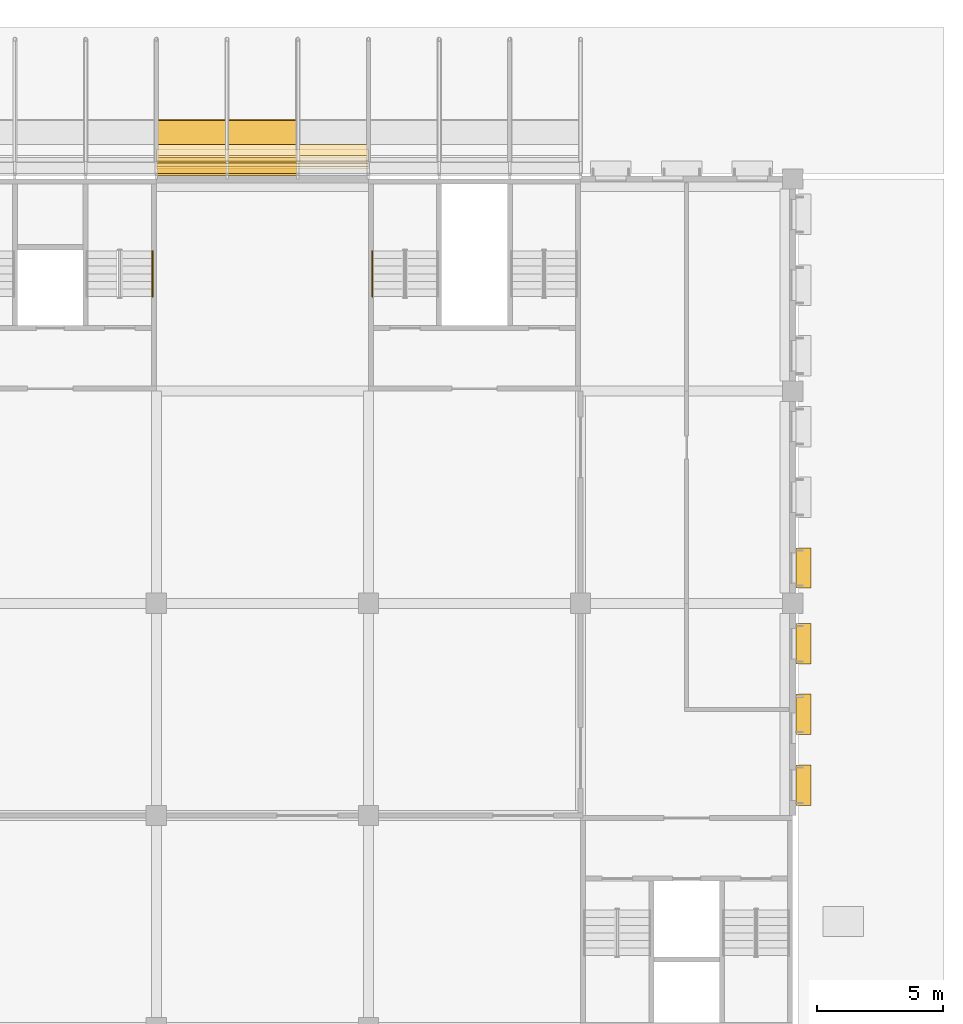
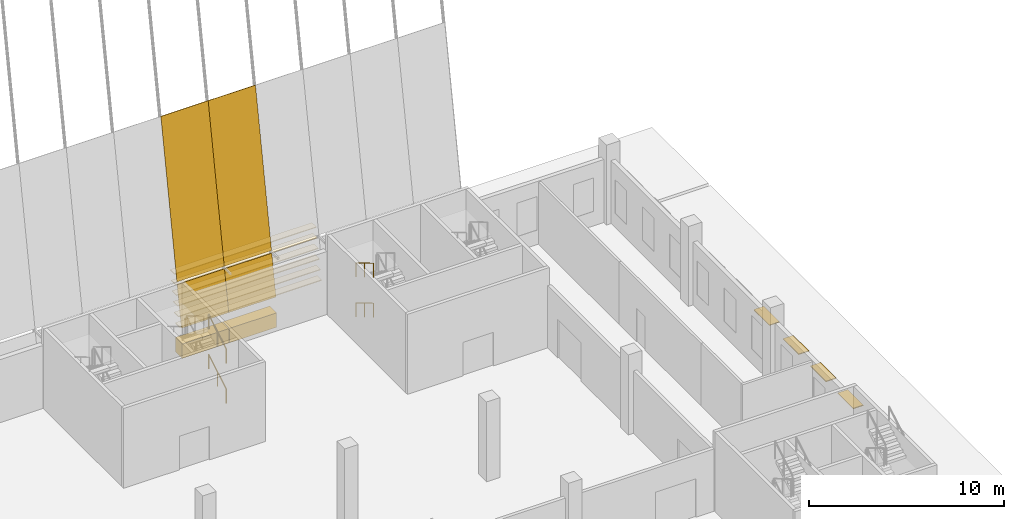
# One storey, part 99 of 101: 12 coverings, 4 railings, 4 shading devices.
"""IFC4 building model written with IfcOpenShell, lengths in metres."""

from ifc_helpers import new_model, si_unit, direction, frame, origin, origin_2d, place, context, subcontext, project, spatial, polyline, rectangle, circle, outline, extrude, material, layer, layer_set, material_profile, profile_set, type_object, element, save


model = new_model("IFC4")

# Units and contexts
model_context = context("Model", 3, precision=1e-05, world=origin(), true_north=direction((0.0, 1.0)))
body_context = subcontext(model_context, "Body", "Model", "MODEL_VIEW")
ifc_project = project(units=[si_unit("LENGTHUNIT", "METRE"), si_unit("AREAUNIT", "SQUARE_METRE"), si_unit("VOLUMEUNIT", "CUBIC_METRE"), si_unit("PLANEANGLEUNIT", "RADIAN"), si_unit("MASSUNIT", "GRAM", prefix="KILO")], contexts=[model_context])

# Site, building, storey
site_placement = place(None, origin())
site = spatial("IfcSite", under=ifc_project, at=site_placement, CompositionType="ELEMENT")
building_placement = place(site_placement, origin())
building = spatial("IfcBuilding", under=site, at=building_placement, Name="Almond Square Museum", CompositionType="ELEMENT")
storey_placement = place(building_placement, frame((0.0, 0.0, 5.5)))
storey = spatial("IfcBuildingStorey", under=building, at=storey_placement, Name="L01", CompositionType="ELEMENT", Elevation=5.5)

# Coverings
ifc_material_1 = material(Name="Cedar timber louvre board", Category="wood")
ifc_material_profile_1 = material_profile(ifc_material_1, rectangle(XDim=0.449951171875, YDim=0.050048828125, at=origin_2d()))
ifc_profile_set_1 = profile_set([ifc_material_profile_1], Name="Cedar timber louvre board")
covering_type_1 = type_object("IfcCoveringType", Name="Louvre board 450 x 50", PredefinedType="CLADDING", material=ifc_profile_set_1)
for number, where, z_axis, x_axis, name in (
    (1, (132.0, 109.82373046875, 1.800048828125), (1.0, 0.0, 0.0), (0.0, 1.0, 0.0), "Louvre board N01.04"),
    (2, (132.0, 109.9296875, 2.39990234375), (1.0, 0.0, 0.0), (0.0, 1.0, 0.0), "Louvre board N02.04"),
    (3, (132.0, 110.035400390625, 3.0), (1.0, 0.0, 0.0), (0.0, 1.0, 0.0), "Louvre board N03.04"),
    (4, (132.0, 110.14111328125, 3.60009765625), (1.0, 0.0, 0.0), (0.0, 1.0, 0.0), "Louvre board N04.04"),
    (5, (132.0, 110.2470703125, 4.199951171875), (1.0, 0.0, 0.0), (0.0, 1.0, 0.0), "Louvre board N05.04"),
    (6, (132.0, 110.352783203125, 4.800048828125), (1.0, 0.0, 0.0), (0.0, 1.0, 0.0), "Louvre board N06.04"),
):
    element("IfcCovering", number, at=place(storey_placement, frame(where, z_axis=z_axis, x_axis=x_axis)), inside=storey, type_object=covering_type_1, Name=name, PredefinedType="CLADDING", context=body_context, shape_type="SweptSolid", body=[
        extrude(rectangle(XDim=0.449951171875, YDim=0.050048828125, at=origin_2d()), origin(), (0.0, 0.0, 1.0), 8.39990234375),
    ])
ifc_material_2 = material(Name="Cedar timber sheathing panel", Category="wood")
ifc_layer_1 = layer(ifc_material_2, 0.030029296875)
ifc_layer_set_1 = layer_set([ifc_layer_1], Name="Cedar timber sheathing panel")
covering_type_2 = type_object("IfcCoveringType", Name="Louvre rain-screen backing panel 30", PredefinedType="CLADDING", material=ifc_layer_set_1)
covering_1_placement = place(storey_placement, frame((132.0, 109.42724609375, 1.8486328125), z_axis=(0.0, -0.984810858511, 0.173630564586), x_axis=(1.0, 0.0, 0.0)))
element("IfcCovering", 7, at=covering_1_placement, inside=storey, type_object=covering_type_2, Name="Louvre rain-screen backing panel N10.03", PredefinedType="CLADDING", context=body_context, shape_type="SweptSolid", body=[
    extrude(outline(polyline([(0.0, 0.0), (2.800048828125, 0.0), (2.800048828125, 2.519717660558068), (0.0, 2.519717660558068), (0.0, 0.0)])), frame((0.0, 0.0, -0.01513671875)), (0.0, 0.0, 1.0), 0.030029296875),
])
covering_2_placement = place(storey_placement, frame((132.0, 109.889404296875, 4.469970703125), z_axis=(0.0, -0.98480863204, 0.173643192378), x_axis=(1.0, 0.0, 0.0)))
element("IfcCovering", 8, at=covering_2_placement, inside=storey, type_object=covering_type_2, Name="Louvre rain-screen backing panel N10.04", PredefinedType="CLADDING", context=body_context, shape_type="SweptSolid", body=[
    extrude(outline(polyline([(0.0, 0.0), (2.800048828125, 0.0), (2.800048828125, 9.504493682681225), (0.0, 9.504493682681225), (0.0, 0.0)])), frame((0.0, 0.0, -0.01513671875)), (0.0, 0.0, 1.0), 0.030029296875),
])
covering_3_placement = place(storey_placement, frame((134.800048828125, 109.42724609375, 1.8486328125), z_axis=(0.0, -0.984810858511, 0.173630564586), x_axis=(1.0, 0.0, 0.0)))
element("IfcCovering", 9, at=covering_3_placement, inside=storey, type_object=covering_type_2, Name="Louvre rain-screen backing panel N11.03", PredefinedType="CLADDING", context=body_context, shape_type="SweptSolid", body=[
    extrude(outline(polyline([(0.0, 0.0), (2.800048828125, 0.0), (2.800048828125, 2.519717660558068), (0.0, 2.519717660558068), (0.0, 0.0)])), frame((0.0, 0.0, -0.01513671875)), (0.0, 0.0, 1.0), 0.030029296875),
])
covering_4_placement = place(storey_placement, frame((134.800048828125, 109.889404296875, 4.469970703125), z_axis=(0.0, -0.98480863204, 0.173643192378), x_axis=(1.0, 0.0, 0.0)))
element("IfcCovering", 10, at=covering_4_placement, inside=storey, type_object=covering_type_2, Name="Louvre rain-screen backing panel N11.04", PredefinedType="CLADDING", context=body_context, shape_type="SweptSolid", body=[
    extrude(outline(polyline([(0.0, 0.0), (2.800048828125, 0.0), (2.800048828125, 9.504493682681225), (0.0, 9.504493682681225), (0.0, 0.0)])), frame((0.0, 0.0, -0.01513671875)), (0.0, 0.0, 1.0), 0.030029296875),
])
ifc_material_3 = material(Name="Timber plinth, cedar", Category="wood")
ifc_layer_2 = layer(ifc_material_3, 0.699951171875)
ifc_layer_set_2 = layer_set([ifc_layer_2], Name="Timber plinth, cedar")
covering_type_3 = type_object("IfcCoveringType", Name="Louvre skin plinth, timber 700 x 900", PredefinedType="CLADDING", material=ifc_layer_set_2)
for number, where, z_axis, x_axis, name in (
    (11, (133.39990234375, 109.699951171875, 0.0), (0.0, 0.0, 1.0), (1.0, 0.0, 0.0), "Louvre skin plinth N10"),
    (12, (136.199951171875, 109.699951171875, 0.0), (0.0, 0.0, 1.0), (1.0, 0.0, 0.0), "Louvre skin plinth N11"),
):
    element("IfcCovering", number, at=place(storey_placement, frame(where, z_axis=z_axis, x_axis=x_axis)), inside=storey, type_object=covering_type_3, Name=name, PredefinedType="CLADDING", context=body_context, shape_type="SweptSolid", body=[
        extrude(rectangle(XDim=2.780029296875, YDim=0.699951171875, at=origin_2d()), origin(), (0.0, 0.0, 1.0), 0.89990234375),
    ])

# Railings
ifc_material_4 = material(Name="Stainless steel", Category="steel")
railing_type = type_object("IfcRailingType", Name="Stair handrail 900 steel", PredefinedType="HANDRAIL", material=ifc_material_4)
for number, where, name in (
    (13, (140.554931640625, 106.35009765625, 1.428466796875), "L01 ST-05 stair handrail 2"),
    (14, (140.554931640625, 106.35009765625, 3.928466796875), "L01 ST-05 stair handrail 4"),
):
    element("IfcRailing", number, at=place(storey_placement, frame(where)), inside=storey, type_object=railing_type, Name=name, PredefinedType="HANDRAIL", context=body_context, shape_type="SweptSolid", body=[
        extrude(circle(Radius=0.02392578125, at=origin_2d()), frame((0.0, 0.0, 0.8759765625), z_axis=(0.0, -0.859277029364, 0.511510495305), x_axis=(1.0, 0.0, 0.0)), (0.0, 0.0, 1.0), 2.0947265625),
        extrude(circle(Radius=0.02099609375, at=origin_2d()), origin(), (0.0, 0.0, 1.0), 0.851806640625),
        extrude(circle(Radius=0.02099609375, at=origin_2d()), frame((0.0, -0.89990234375, 0.53564453125)), (0.0, 0.0, 1.0), 0.851806640625),
        extrude(circle(Radius=0.02099609375, at=origin_2d()), frame((0.0, -1.800048828125, 1.071533203125)), (0.0, 0.0, 1.0), 0.851806640625),
    ])
for number, where, name in (
    (15, (131.844970703125, 104.550048828125, 0.178466796875), "L01 ST-08 stair handrail 1"),
    (16, (131.844970703125, 104.550048828125, 2.678466796875), "L01 ST-08 stair handrail 3"),
):
    element("IfcRailing", number, at=place(storey_placement, frame(where)), inside=storey, type_object=railing_type, Name=name, PredefinedType="HANDRAIL", context=body_context, shape_type="SweptSolid", body=[
        extrude(circle(Radius=0.02392578125, at=origin_2d()), frame((0.0, 0.0, 0.8759765625), z_axis=(0.0, 0.859277029364, 0.511510495305), x_axis=(-1.0, 0.0, 0.0)), (0.0, 0.0, 1.0), 2.0947265625),
        extrude(circle(Radius=0.02099609375, at=origin_2d()), origin(), (0.0, 0.0, 1.0), 0.851806640625),
        extrude(circle(Radius=0.02099609375, at=origin_2d()), frame((0.0, 0.89990234375, 0.53564453125)), (0.0, 0.0, 1.0), 0.851806640625),
        extrude(circle(Radius=0.02099609375, at=origin_2d()), frame((0.0, 1.800048828125, 1.071533203125)), (0.0, 0.0, 1.0), 0.851806640625),
    ])

# Shading devices
ifc_material_5 = material(Name="Anodised aluminium", Category="aluminium")
ifc_material_profile_2 = material_profile(ifc_material_5, rectangle(XDim=0.60009765625, YDim=0.050048828125, at=origin_2d()))
ifc_profile_set_2 = profile_set([ifc_material_profile_2], Name="Anodised aluminium")
shading_device_type = type_object("IfcShadingDeviceType", Name="Sun-shade blade 600 x 50", PredefinedType="USERDEFINED", material=ifc_profile_set_2)
for number, where, z_axis, x_axis, name in (
    (17, (157.623046875, 84.39990234375, 3.1201171875), (0.0, 1.0, 0.0), (-1.0, 0.0, 0.0), "Sun-shade blade"),
    (18, (157.623046875, 87.199951171875, 3.1201171875), (0.0, 1.0, 0.0), (-1.0, 0.0, 0.0), "Sun-shade blade"),
    (19, (157.623046875, 90.0, 3.1201171875), (0.0, 1.0, 0.0), (-1.0, 0.0, 0.0), "Sun-shade blade"),
    (20, (157.623046875, 93.0, 3.1201171875), (0.0, 1.0, 0.0), (-1.0, 0.0, 0.0), "Sun-shade blade"),
):
    element("IfcShadingDevice", number, at=place(storey_placement, frame(where, z_axis=z_axis, x_axis=x_axis)), inside=storey, type_object=shading_device_type, Name=name, ObjectType="LOUVRE", PredefinedType="USERDEFINED", context=body_context, shape_type="SweptSolid", body=[
        extrude(rectangle(XDim=0.60009765625, YDim=0.050048828125, at=origin_2d()), origin(), (0.0, 0.0, 1.0), 1.60009765625),
    ])

save(model, "model.ifc")
